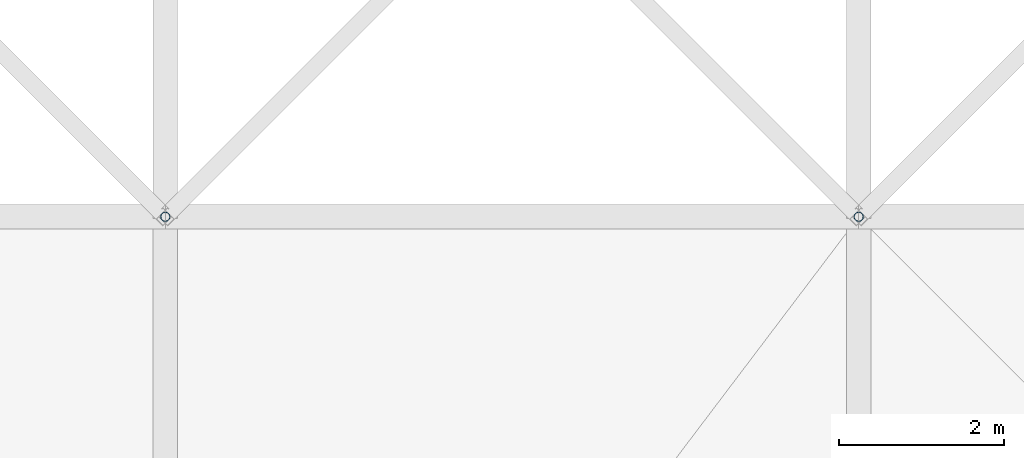
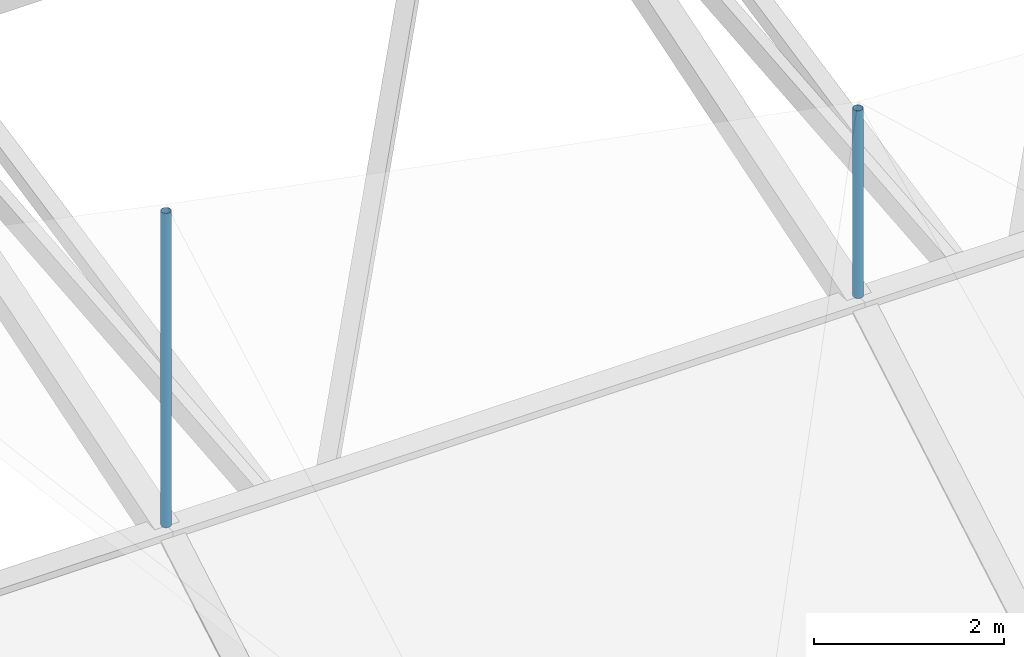
# One storey, part 52 of 111: 2 discrete accessories.
"""IFC4 building model written with IfcOpenShell, lengths in metres."""

import ifcopenshell
import ifcopenshell.guid

model = None  # the IFC model being written
_history = None  # IfcOwnerHistory: only IFC2X3 demands one
_inside = {}  # id of a spatial element -> (the spatial element, [elements in it])
_under = {}  # id of a project, library or spatial element -> (it, [spatial elements below it])
_declared = {}  # id of a project -> (the project, [libraries it declares])
_typed = {}  # id of a type object -> (the type object, [elements of that type])
_made_of = {}  # id of a material, layer set ... -> (it, [elements and type objects made of it])


def new_model(schema):
    """Start an empty IFC model of exactly this schema.

    Asked for "IFC4X3", IfcOpenShell would pick the latest addendum, in which some entities
    have other attributes; the version numbers below select the first issue.
    IFC2X3 requires an IfcOwnerHistory on every rooted entity: one is made here for all.
    """
    global model, _history
    if schema == "IFC4X3":
        model = ifcopenshell.file(schema_version=(4, 3, 0, 0))
    else:
        model = ifcopenshell.file(schema=schema)
    _inside.clear()
    _under.clear()
    _declared.clear()
    _typed.clear()
    _made_of.clear()
    _history = None
    if model.schema == "IFC2X3":
        org = make("IfcOrganization", Name="unknown")
        user = make(
            "IfcPersonAndOrganization",
            ThePerson=make("IfcPerson", FamilyName="unknown"),
            TheOrganization=org,
        )
        app = make(
            "IfcApplication",
            ApplicationDeveloper=org,
            Version="unknown",
            ApplicationFullName="unknown",
            ApplicationIdentifier="unknown",
        )
        _history = make(
            "IfcOwnerHistory",
            OwningUser=user,
            OwningApplication=app,
            ChangeAction="ADDED",
            CreationDate=0,
        )
    return model


def make(cls, **values):
    """One entity of the class cls with the attributes given. An attribute that is None is left unset."""
    return model.create_entity(
        cls, **{name: value for name, value in values.items() if value is not None}
    )


def rooted(cls, **values):
    """An entity with a GlobalId (a new one), such as an element, a storey or a relation."""
    return make(cls, GlobalId=ifcopenshell.guid.new(), OwnerHistory=_history, **values)


def si_unit(unit_type, name, prefix=None):
    """IfcSIUnit, for example si_unit("LENGTHUNIT", "METRE", prefix="MILLI")."""
    return make("IfcSIUnit", UnitType=unit_type, Prefix=prefix, Name=name)


def assignment(units):
    """IfcUnitAssignment: the units of a project."""
    return None if units is None else make("IfcUnitAssignment", Units=units)


def point(xyz):
    """IfcCartesianPoint."""
    return None if xyz is None else make("IfcCartesianPoint", Coordinates=xyz)


def direction(xyz):
    """IfcDirection."""
    return None if xyz is None else make("IfcDirection", DirectionRatios=xyz)


def frame(location, z_axis=None, x_axis=None):
    """IfcAxis2Placement3D, a coordinate frame: its origin and axes. An axis left out is left unset."""
    return make(
        "IfcAxis2Placement3D",
        Location=point(location),
        Axis=direction(z_axis),
        RefDirection=direction(x_axis),
    )


def frame_2d(location, x_axis=None):
    """IfcAxis2Placement2D, a coordinate frame in the plane: its origin and x axis."""
    return make(
        "IfcAxis2Placement2D", Location=point(location), RefDirection=direction(x_axis)
    )


def origin():
    """The frame at (0, 0, 0) with its axes left unset."""
    return frame((0.0, 0.0, 0.0))


def origin_2d():
    """The frame at (0, 0) in the plane with its x axis left unset."""
    return frame_2d((0.0, 0.0))


def place(relative_to, where):
    """IfcLocalPlacement: puts the frame where relative to a parent placement (None: the world)."""
    return make(
        "IfcLocalPlacement", PlacementRelTo=relative_to, RelativePlacement=where
    )


def context(
    kind, dimensions, precision=None, world=None, true_north=None, identifier=None
):
    """IfcGeometricRepresentationContext, for example the 3D "Model" context."""
    return make(
        "IfcGeometricRepresentationContext",
        ContextIdentifier=identifier,
        ContextType=kind,
        CoordinateSpaceDimension=dimensions,
        Precision=precision,
        WorldCoordinateSystem=world,
        TrueNorth=true_north,
    )


def subcontext(parent, identifier, kind, view, scale=None):
    """IfcGeometricRepresentationSubContext, for example "Body" below "Model"."""
    return make(
        "IfcGeometricRepresentationSubContext",
        ContextIdentifier=identifier,
        ContextType=kind,
        ParentContext=parent,
        TargetScale=scale,
        TargetView=view,
    )


def project(units=None, contexts=None):
    """IfcProject with its units and contexts."""
    return rooted(
        "IfcProject",
        Name="project",
        RepresentationContexts=contexts,
        UnitsInContext=assignment(units),
    )


def spatial(cls, under=None, at=None, **own):
    """A site, building, storey or space (cls), placed at a placement, below another one or the project."""
    s = rooted(cls, ObjectPlacement=at, **own)
    if under is not None:
        _under.setdefault(under.id(), (under, []))[1].append(s)
    return s


def profile(cls, at=None, kind="AREA", **sizes):
    """A parametric profile (cls). Its sizes go by their IFC names, for example OverallWidth=200.0."""
    return make(cls, ProfileType=kind, Position=at, **sizes)


def hollow_circle(**sizes):
    """IfcCircleHollowProfileDef."""
    return profile("IfcCircleHollowProfileDef", **sizes)


def extrude(swept, where, along, depth):
    """IfcExtrudedAreaSolid: the profile swept, set in the frame where, extruded along a direction by depth."""
    return make(
        "IfcExtrudedAreaSolid",
        SweptArea=swept,
        Position=where,
        ExtrudedDirection=direction(along),
        Depth=depth,
    )


def shape(context_of_items, identifier, shape_type, items):
    """IfcShapeRepresentation: the items that make up one representation, for example the "Body"."""
    return make(
        "IfcShapeRepresentation",
        ContextOfItems=context_of_items,
        RepresentationIdentifier=identifier,
        RepresentationType=shape_type,
        Items=items,
    )


def material(Name=None, Category=None):
    """IfcMaterial."""
    return make("IfcMaterial", Name=Name, Category=Category)


def material_profile(
    of_material, cross_section, Name=None, Category=None, Priority=None
):
    """IfcMaterialProfile: a cross section and its material."""
    return make(
        "IfcMaterialProfile",
        Name=Name,
        Material=of_material,
        Profile=cross_section,
        Priority=Priority,
        Category=Category,
    )


def profile_set(profiles, Name=None, composite=None):
    """IfcMaterialProfileSet."""
    return make(
        "IfcMaterialProfileSet",
        Name=Name,
        MaterialProfiles=profiles,
        CompositeProfile=composite,
    )


def made_of(thing, what):
    """Note that an element or type object is made of a material, layer set ...; save() writes the relation."""
    if what is not None:
        _made_of.setdefault(what.id(), (what, []))[1].append(thing)
    return thing


def type_object(cls, material=None, **own):
    """A type object (cls), such as IfcWallType, which elements share."""
    return made_of(rooted(cls, **own), material)


def element(
    cls,
    number,
    at=None,
    inside=None,
    cuts=None,
    type_object=None,
    material=None,
    context=None,
    identifier="Body",
    shape_type=None,
    held_by="IfcProductDefinitionShape",
    body=None,
    shapes=None,
    **own,
):
    """One element of the class cls, such as IfcWall. Its Tag is "e" and its number.

    at: its placement. inside: the storey or other place that contains it. cuts: it is an
    opening in that element (IfcRelVoidsElement). A single representation is given by context,
    identifier, shape_type and body (its items); several are given by shapes. held_by: the class
    of the entity that holds the representations. save() writes the other relations.
    """
    e = rooted(cls, Tag="e%d" % number, ObjectPlacement=at, **own)
    if body is not None:
        shapes = [shape(context, identifier, shape_type, body)]
    if shapes is not None:
        e.Representation = make(held_by, Representations=shapes)
    if inside is not None:
        _inside.setdefault(inside.id(), (inside, []))[1].append(e)
    if cuts is not None:
        rooted(
            "IfcRelVoidsElement", RelatingBuildingElement=cuts, RelatedOpeningElement=e
        )
    if type_object is not None:
        _typed.setdefault(type_object.id(), (type_object, []))[1].append(e)
    return made_of(e, material)


def aggregate(whole, parts):
    """IfcRelAggregates: a whole, such as a stair, and the parts it consists of."""
    return rooted("IfcRelAggregates", RelatingObject=whole, RelatedObjects=parts)


def save(model, path):
    """Write the relations noted so far, then the file.

    IfcRelAggregates (storeys below a building ...), IfcRelContainedInSpatialStructure (elements
    in a storey), IfcRelDefinesByType, IfcRelAssociatesMaterial and IfcRelDeclares: one each for
    every whole, place, type object, material and project.
    """
    for whole, parts in _under.values():
        aggregate(whole, parts)
    for where, things in _inside.values():
        rooted(
            "IfcRelContainedInSpatialStructure",
            RelatedElements=things,
            RelatingStructure=where,
        )
    for kind, things in _typed.values():
        rooted("IfcRelDefinesByType", RelatedObjects=things, RelatingType=kind)
    for what, things in _made_of.values():
        rooted("IfcRelAssociatesMaterial", RelatedObjects=things, RelatingMaterial=what)
    for by, libraries in _declared.values():
        rooted("IfcRelDeclares", RelatingContext=by, RelatedDefinitions=libraries)
    model.write(path)


model = new_model("IFC4")

# Units and contexts
model_context = context("Model", 3, precision=1e-05, world=origin(), true_north=direction((0.0, 1.0)))
body_context = subcontext(model_context, "Body", "Model", "MODEL_VIEW")
ifc_project = project(units=[si_unit("LENGTHUNIT", "METRE"), si_unit("AREAUNIT", "SQUARE_METRE"), si_unit("VOLUMEUNIT", "CUBIC_METRE"), si_unit("PLANEANGLEUNIT", "RADIAN"), si_unit("MASSUNIT", "GRAM", prefix="KILO")], contexts=[model_context])

# Site, building, storey
site_placement = place(None, origin())
site = spatial("IfcSite", under=ifc_project, at=site_placement, CompositionType="ELEMENT")
building_placement = place(site_placement, origin())
building = spatial("IfcBuilding", under=site, at=building_placement, Name="Rain Tree Exposition and Congress Centre", CompositionType="ELEMENT")
storey_placement = place(building_placement, frame((0.0, 0.0, 19.5)))
storey = spatial("IfcBuildingStorey", under=building, at=storey_placement, Name="RF", CompositionType="ELEMENT", Elevation=19.5)

# Discrete accessories
ifc_material = material(Name="Steel S355J2H", Category="steel")
ifc_material_profile = material_profile(ifc_material, hollow_circle(Radius=0.05712890625, WallThickness=0.00439453125, at=origin_2d()), Name="CHS 114x4.5")
ifc_profile_set = profile_set([ifc_material_profile], Name="Steel S355J2H")
discrete_accessory_type = type_object("IfcDiscreteAccessoryType", Name="Roof skin post CHS 114x4.5", PredefinedType="BRACKET", material=ifc_profile_set)
discrete_accessory_1_placement = place(storey_placement, frame((226.800048828125, 109.199951171875, 5.39404296875), z_axis=(0.0, 0.0, 1.0), x_axis=(1.0, 0.0, 0.0)))
element("IfcDiscreteAccessory", 1, at=discrete_accessory_1_placement, inside=storey, type_object=discrete_accessory_type, Name="Roof skin post B24", PredefinedType="BRACKET", context=body_context, shape_type="SweptSolid", body=[
    extrude(hollow_circle(Radius=0.05712890625, WallThickness=0.00439453125, at=origin_2d()), origin(), (0.0, 0.0, 1.0), 4.032958984375),
])
discrete_accessory_2_placement = place(storey_placement, frame((235.199951171875, 109.199951171875, 5.39404296875), z_axis=(0.0, 0.0, 1.0), x_axis=(1.0, 0.0, 0.0)))
element("IfcDiscreteAccessory", 2, at=discrete_accessory_2_placement, inside=storey, type_object=discrete_accessory_type, Name="Roof skin post B25", PredefinedType="BRACKET", context=body_context, shape_type="SweptSolid", body=[
    extrude(hollow_circle(Radius=0.05712890625, WallThickness=0.00439453125, at=origin_2d()), origin(), (0.0, 0.0, 1.0), 2.409912109375),
])

save(model, "model.ifc")
